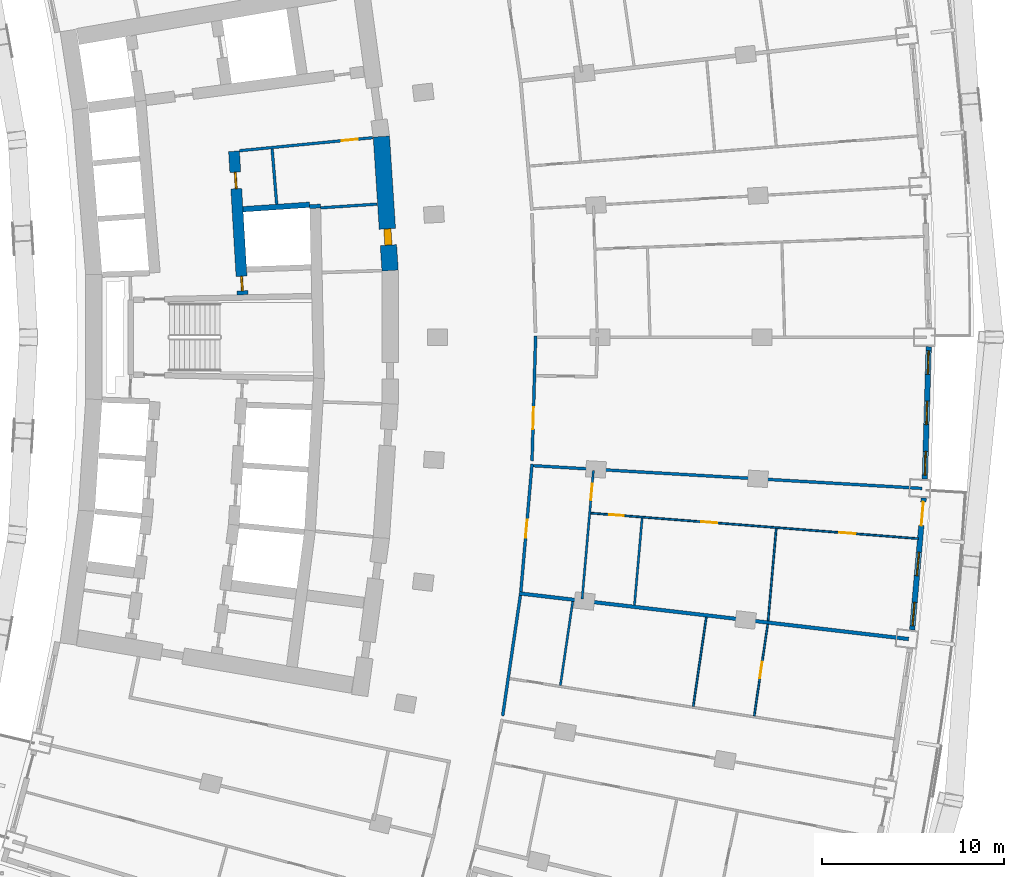
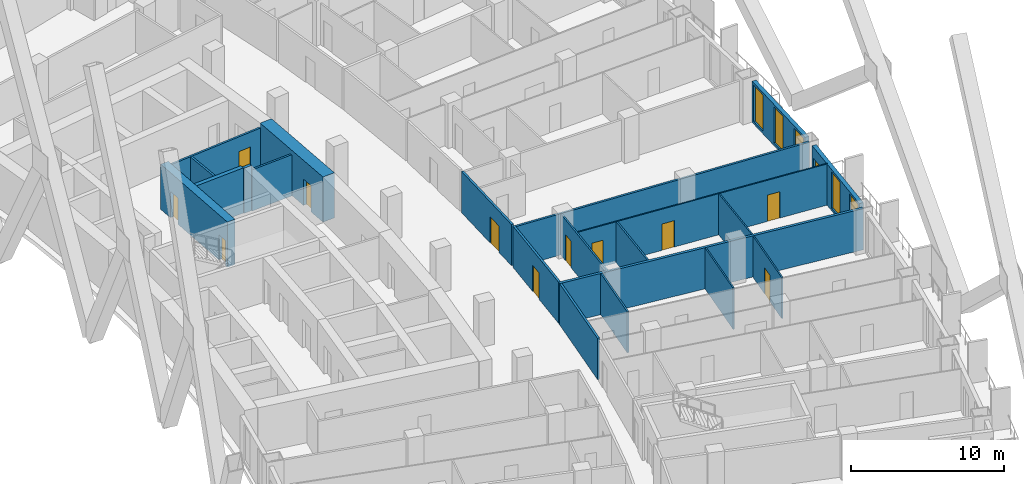
# One storey, part 15 of 23: 21 walls, 12 doors, 5 windows, 17 openings.
"""IFC4 building model written with IfcOpenShell, lengths in metres."""

import ifcopenshell
import ifcopenshell.guid

model = None  # the IFC model being written
_history = None  # IfcOwnerHistory: only IFC2X3 demands one
_inside = {}  # id of a spatial element -> (the spatial element, [elements in it])
_under = {}  # id of a project, library or spatial element -> (it, [spatial elements below it])
_declared = {}  # id of a project -> (the project, [libraries it declares])
_typed = {}  # id of a type object -> (the type object, [elements of that type])
_made_of = {}  # id of a material, layer set ... -> (it, [elements and type objects made of it])


def new_model(schema):
    """Start an empty IFC model of exactly this schema.

    Asked for "IFC4X3", IfcOpenShell would pick the latest addendum, in which some entities
    have other attributes; the version numbers below select the first issue.
    IFC2X3 requires an IfcOwnerHistory on every rooted entity: one is made here for all.
    """
    global model, _history
    if schema == "IFC4X3":
        model = ifcopenshell.file(schema_version=(4, 3, 0, 0))
    else:
        model = ifcopenshell.file(schema=schema)
    _inside.clear()
    _under.clear()
    _declared.clear()
    _typed.clear()
    _made_of.clear()
    _history = None
    if model.schema == "IFC2X3":
        org = make("IfcOrganization", Name="unknown")
        user = make(
            "IfcPersonAndOrganization",
            ThePerson=make("IfcPerson", FamilyName="unknown"),
            TheOrganization=org,
        )
        app = make(
            "IfcApplication",
            ApplicationDeveloper=org,
            Version="unknown",
            ApplicationFullName="unknown",
            ApplicationIdentifier="unknown",
        )
        _history = make(
            "IfcOwnerHistory",
            OwningUser=user,
            OwningApplication=app,
            ChangeAction="ADDED",
            CreationDate=0,
        )
    return model


def make(cls, **values):
    """One entity of the class cls with the attributes given. An attribute that is None is left unset."""
    return model.create_entity(
        cls, **{name: value for name, value in values.items() if value is not None}
    )


def rooted(cls, **values):
    """An entity with a GlobalId (a new one), such as an element, a storey or a relation."""
    return make(cls, GlobalId=ifcopenshell.guid.new(), OwnerHistory=_history, **values)


def si_unit(unit_type, name, prefix=None):
    """IfcSIUnit, for example si_unit("LENGTHUNIT", "METRE", prefix="MILLI")."""
    return make("IfcSIUnit", UnitType=unit_type, Prefix=prefix, Name=name)


def assignment(units):
    """IfcUnitAssignment: the units of a project."""
    return None if units is None else make("IfcUnitAssignment", Units=units)


def point(xyz):
    """IfcCartesianPoint."""
    return None if xyz is None else make("IfcCartesianPoint", Coordinates=xyz)


def direction(xyz):
    """IfcDirection."""
    return None if xyz is None else make("IfcDirection", DirectionRatios=xyz)


def frame(location, z_axis=None, x_axis=None):
    """IfcAxis2Placement3D, a coordinate frame: its origin and axes. An axis left out is left unset."""
    return make(
        "IfcAxis2Placement3D",
        Location=point(location),
        Axis=direction(z_axis),
        RefDirection=direction(x_axis),
    )


def frame_2d(location, x_axis=None):
    """IfcAxis2Placement2D, a coordinate frame in the plane: its origin and x axis."""
    return make(
        "IfcAxis2Placement2D", Location=point(location), RefDirection=direction(x_axis)
    )


def origin():
    """The frame at (0, 0, 0) with its axes left unset."""
    return frame((0.0, 0.0, 0.0))


def place(relative_to, where):
    """IfcLocalPlacement: puts the frame where relative to a parent placement (None: the world)."""
    return make(
        "IfcLocalPlacement", PlacementRelTo=relative_to, RelativePlacement=where
    )


def context(
    kind, dimensions, precision=None, world=None, true_north=None, identifier=None
):
    """IfcGeometricRepresentationContext, for example the 3D "Model" context."""
    return make(
        "IfcGeometricRepresentationContext",
        ContextIdentifier=identifier,
        ContextType=kind,
        CoordinateSpaceDimension=dimensions,
        Precision=precision,
        WorldCoordinateSystem=world,
        TrueNorth=true_north,
    )


def subcontext(parent, identifier, kind, view, scale=None):
    """IfcGeometricRepresentationSubContext, for example "Body" below "Model"."""
    return make(
        "IfcGeometricRepresentationSubContext",
        ContextIdentifier=identifier,
        ContextType=kind,
        ParentContext=parent,
        TargetScale=scale,
        TargetView=view,
    )


def project(units=None, contexts=None):
    """IfcProject with its units and contexts."""
    return rooted(
        "IfcProject",
        Name="project",
        RepresentationContexts=contexts,
        UnitsInContext=assignment(units),
    )


def spatial(cls, under=None, at=None, **own):
    """A site, building, storey or space (cls), placed at a placement, below another one or the project."""
    s = rooted(cls, ObjectPlacement=at, **own)
    if under is not None:
        _under.setdefault(under.id(), (under, []))[1].append(s)
    return s


def profile(cls, at=None, kind="AREA", **sizes):
    """A parametric profile (cls). Its sizes go by their IFC names, for example OverallWidth=200.0."""
    return make(cls, ProfileType=kind, Position=at, **sizes)


def rectangle(**sizes):
    """IfcRectangleProfileDef."""
    return profile("IfcRectangleProfileDef", **sizes)


def extrude(swept, where, along, depth):
    """IfcExtrudedAreaSolid: the profile swept, set in the frame where, extruded along a direction by depth."""
    return make(
        "IfcExtrudedAreaSolid",
        SweptArea=swept,
        Position=where,
        ExtrudedDirection=direction(along),
        Depth=depth,
    )


def shape(context_of_items, identifier, shape_type, items):
    """IfcShapeRepresentation: the items that make up one representation, for example the "Body"."""
    return make(
        "IfcShapeRepresentation",
        ContextOfItems=context_of_items,
        RepresentationIdentifier=identifier,
        RepresentationType=shape_type,
        Items=items,
    )


def material(Name=None, Category=None):
    """IfcMaterial."""
    return make("IfcMaterial", Name=Name, Category=Category)


def layer(
    of_material, thickness, ventilated=None, Name=None, Category=None, Priority=None
):
    """IfcMaterialLayer: one layer of a wall or slab, of a material (None: an air gap)."""
    return make(
        "IfcMaterialLayer",
        Material=of_material,
        LayerThickness=thickness,
        IsVentilated=ventilated,
        Name=Name,
        Category=Category,
        Priority=Priority,
    )


def layer_set(layers, Name=None):
    """IfcMaterialLayerSet."""
    return make("IfcMaterialLayerSet", MaterialLayers=layers, LayerSetName=Name)


def made_of(thing, what):
    """Note that an element or type object is made of a material, layer set ...; save() writes the relation."""
    if what is not None:
        _made_of.setdefault(what.id(), (what, []))[1].append(thing)
    return thing


def type_object(cls, material=None, **own):
    """A type object (cls), such as IfcWallType, which elements share."""
    return made_of(rooted(cls, **own), material)


def element(
    cls,
    number,
    at=None,
    inside=None,
    cuts=None,
    type_object=None,
    material=None,
    context=None,
    identifier="Body",
    shape_type=None,
    held_by="IfcProductDefinitionShape",
    body=None,
    shapes=None,
    **own,
):
    """One element of the class cls, such as IfcWall. Its Tag is "e" and its number.

    at: its placement. inside: the storey or other place that contains it. cuts: it is an
    opening in that element (IfcRelVoidsElement). A single representation is given by context,
    identifier, shape_type and body (its items); several are given by shapes. held_by: the class
    of the entity that holds the representations. save() writes the other relations.
    """
    e = rooted(cls, Tag="e%d" % number, ObjectPlacement=at, **own)
    if body is not None:
        shapes = [shape(context, identifier, shape_type, body)]
    if shapes is not None:
        e.Representation = make(held_by, Representations=shapes)
    if inside is not None:
        _inside.setdefault(inside.id(), (inside, []))[1].append(e)
    if cuts is not None:
        rooted(
            "IfcRelVoidsElement", RelatingBuildingElement=cuts, RelatedOpeningElement=e
        )
    if type_object is not None:
        _typed.setdefault(type_object.id(), (type_object, []))[1].append(e)
    return made_of(e, material)


def fill(opening, filler):
    """IfcRelFillsElement: the door or window that sits in an opening."""
    return rooted(
        "IfcRelFillsElement",
        RelatingOpeningElement=opening,
        RelatedBuildingElement=filler,
    )


def aggregate(whole, parts):
    """IfcRelAggregates: a whole, such as a stair, and the parts it consists of."""
    return rooted("IfcRelAggregates", RelatingObject=whole, RelatedObjects=parts)


def save(model, path):
    """Write the relations noted so far, then the file.

    IfcRelAggregates (storeys below a building ...), IfcRelContainedInSpatialStructure (elements
    in a storey), IfcRelDefinesByType, IfcRelAssociatesMaterial and IfcRelDeclares: one each for
    every whole, place, type object, material and project.
    """
    for whole, parts in _under.values():
        aggregate(whole, parts)
    for where, things in _inside.values():
        rooted(
            "IfcRelContainedInSpatialStructure",
            RelatedElements=things,
            RelatingStructure=where,
        )
    for kind, things in _typed.values():
        rooted("IfcRelDefinesByType", RelatedObjects=things, RelatingType=kind)
    for what, things in _made_of.values():
        rooted("IfcRelAssociatesMaterial", RelatedObjects=things, RelatingMaterial=what)
    for by, libraries in _declared.values():
        rooted("IfcRelDeclares", RelatingContext=by, RelatedDefinitions=libraries)
    model.write(path)


model = new_model("IFC4")

# Units and contexts
model_context = context("Model", 3, precision=1e-05, world=origin(), true_north=direction((0.0, 1.0)))
body_context = subcontext(model_context, "Body", "Model", "MODEL_VIEW")
ifc_project = project(units=[si_unit("LENGTHUNIT", "METRE"), si_unit("AREAUNIT", "SQUARE_METRE"), si_unit("VOLUMEUNIT", "CUBIC_METRE"), si_unit("PLANEANGLEUNIT", "RADIAN"), si_unit("MASSUNIT", "GRAM", prefix="KILO")], contexts=[model_context])

# Site, building, storey
site_placement = place(None, origin())
site = spatial("IfcSite", under=ifc_project, at=site_placement, CompositionType="ELEMENT")
building_placement = place(site_placement, origin())
building = spatial("IfcBuilding", under=site, at=building_placement, Name="Alderwake Tower", CompositionType="ELEMENT")
storey_placement = place(building_placement, frame((0.0, 0.0, 53.60009765625)))
storey = spatial("IfcBuildingStorey", under=building, at=storey_placement, Name="L12", CompositionType="ELEMENT", Elevation=53.60009765625)

# Walls
ifc_material_1 = material(Name="Gypsum shaft wall system, rated")
ifc_layer_1 = layer(ifc_material_1, 0.14990234375)
ifc_layer_set_1 = layer_set([ifc_layer_1], Name="Core room partition 150")
wall_type_1 = type_object("IfcWallType", Name="Core room partition 150", PredefinedType="PARTITIONING", material=ifc_layer_set_1)
wall_1_placement = place(storey_placement, frame((26.94970703125, 68.3203125, 0.0), z_axis=(0.0, 0.0, 1.0), x_axis=(-0.082463525817, 0.996594083321, 0.0)))
element("IfcWall", 1, at=wall_1_placement, inside=storey, type_object=wall_type_1, Name="CW/L12/PA+107_+70", PredefinedType="PARTITIONING", context=body_context, shape_type="SweptSolid", body=[
    extrude(rectangle(XDim=3.055419921875, YDim=0.14990234375, at=frame_2d((1.52783203125, 0.0))), origin(), (0.0, 0.0, 1.0), 3.27978515625),
])
wall_2_placement = place(storey_placement, frame((29.36865234375, 68.1220703125, 0.0), z_axis=(0.0, 0.0, 1.0), x_axis=(0.997885090452, 0.065002663433, 0.0)))
element("IfcWall", 2, at=wall_2_placement, inside=storey, type_object=wall_type_1, Name="CW/L12/PR+68_+128", PredefinedType="PARTITIONING", context=body_context, shape_type="SweptSolid", body=[
    extrude(rectangle(XDim=3.10986328125, YDim=0.14990234375, at=frame_2d((1.554931640625, 0.0))), origin(), (0.0, 0.0, 1.0), 3.27978515625),
])

# Wall, opening, door
wall_3_placement = place(storey_placement, frame((32.233642578125, 71.982177734375, 0.0), z_axis=(0.0, 0.0, 1.0), x_axis=(-0.995245540971, -0.097397706226, 0.0)))
wall_3 = element("IfcWall", 3, at=wall_3_placement, inside=storey, type_object=wall_type_1, Name="CW/L12/PR+102_+86", PredefinedType="PARTITIONING", context=body_context, shape_type="SweptSolid", body=[
    extrude(rectangle(XDim=7.36962890625, YDim=0.14990234375, at=frame_2d((3.684814453125, 0.0))), origin(), (0.0, 0.0, 1.0), 3.27978515625),
])
opening_1_placement = place(wall_3_placement, frame((0.819580078125, 0.0, 0.0)))
opening_1 = element("IfcOpeningElement", 4, at=opening_1_placement, cuts=wall_3, Name="Opening C021", PredefinedType="OPENING", context=body_context, shape_type="SweptSolid", body=[
    extrude(rectangle(XDim=0.89990234375, YDim=2.10009765625, at=frame_2d((0.449951171875, 1.050048828125))), frame((0.0, 0.0849609375, 0.0), z_axis=(0.0, -1.0, 0.0), x_axis=(1.0, 0.0, 0.0)), (0.0, 0.0, 1.0), 0.169921875),
])
ifc_material_2 = material(Name="Painted steel leaf", Category="steel")
door_type_1 = type_object("IfcDoorType", Name="Core room door 900", OperationType="SINGLE_SWING_LEFT", PredefinedType="DOOR", material=ifc_material_2)
door_1_placement = place(opening_1_placement, origin())
door_1 = element("IfcDoor", 5, at=door_1_placement, inside=storey, type_object=door_type_1, Name="Room door", OperationType="SINGLE_SWING_RIGHT", OverallHeight=2.10009765625, OverallWidth=0.89990234375, PredefinedType="DOOR", context=body_context, shape_type="SweptSolid", body=[
    extrude(rectangle(XDim=0.89990234375, YDim=2.10009765625, at=frame_2d((0.449951171875, 1.050048828125))), frame((0.0, 0.02490234375, 0.0), z_axis=(0.0, -1.0, 0.0), x_axis=(1.0, 0.0, 0.0)), (0.0, 0.0, 1.0), 0.050048828125),
])
fill(opening_1, door_1)

ifc_material_3 = material(Name="Concrete C70/85", Category="concrete")
ifc_layer_2 = layer(ifc_material_3, 0.89990234375)
ifc_layer_set_2 = layer_set([ifc_layer_2], Name="Core wall outer 900 C70-85")
wall_type_2 = type_object("IfcWallType", Name="Core wall outer 900 C70-85", PredefinedType="SHEAR", material=ifc_layer_set_2)
wall_4_placement = place(storey_placement, frame((32.710693359375, 72.04541015625, 0.0), z_axis=(0.0, 0.0, 1.0), x_axis=(0.064976219143, -0.997886812693, 0.0)))
wall_4 = element("IfcWall", 6, at=wall_4_placement, inside=storey, type_object=wall_type_2, Name="Core wall CW.010", PredefinedType="SHEAR", context=body_context, shape_type="SweptSolid", body=[
    extrude(rectangle(XDim=7.39453125, YDim=0.89990234375, at=frame_2d((3.697265625, 0.0))), origin(), (0.0, 0.0, 1.0), 3.599853515625),
])
opening_2_placement = place(wall_4_placement, frame((5.089111328125, 0.0, 0.0)))
opening_2 = element("IfcOpeningElement", 7, at=opening_2_placement, cuts=wall_4, Name="Opening C035", PredefinedType="OPENING", context=body_context, shape_type="SweptSolid", body=[
    extrude(rectangle(XDim=0.89990234375, YDim=2.10009765625, at=frame_2d((0.449951171875, 1.050048828125))), frame((0.0, 0.4599609375, 0.0), z_axis=(0.0, -1.0, 0.0), x_axis=(1.0, 0.0, 0.0)), (0.0, 0.0, 1.0), 0.919921875),
])
door_2_placement = place(opening_2_placement, origin())
door_2 = element("IfcDoor", 8, at=door_2_placement, inside=storey, type_object=door_type_1, Name="Room door", OperationType="SINGLE_SWING_RIGHT", OverallHeight=2.10009765625, OverallWidth=0.89990234375, PredefinedType="DOOR", context=body_context, shape_type="SweptSolid", body=[
    extrude(rectangle(XDim=0.89990234375, YDim=2.10009765625, at=frame_2d((0.449951171875, 1.050048828125))), frame((0.0, 0.199951171875, 0.0), z_axis=(0.0, -1.0, 0.0), x_axis=(1.0, 0.0, 0.0)), (0.0, 0.0, 1.0), 0.39990234375),
])
fill(opening_2, door_2)

# Wall
ifc_material_4 = material(Name="Concrete C70/85", Category="concrete")
ifc_layer_3 = layer(ifc_material_4, 0.300048828125)
ifc_layer_set_3 = layer_set([ifc_layer_3], Name="Core wall shaft 300 C70-85")
wall_type_3 = type_object("IfcWallType", Name="Core wall shaft 300 C70-85", PredefinedType="SHEAR", material=ifc_layer_set_3)
wall_5_placement = place(storey_placement, frame((25.09228515625, 68.04541015625, 0.0), z_axis=(0.0, 0.0, 1.0), x_axis=(0.997760375614, 0.066889706642, 0.0)))
element("IfcWall", 9, at=wall_5_placement, inside=storey, type_object=wall_type_3, Name="Core wall CW.063", PredefinedType="SHEAR", context=body_context, shape_type="SweptSolid", body=[
    extrude(rectangle(XDim=3.671875, YDim=0.300048828125, at=frame_2d((1.8359375, 0.0))), origin(), (0.0, 0.0, 1.0), 3.599853515625),
])

# Wall, openings, doors
ifc_material_5 = material(Name="Concrete C70/85", Category="concrete")
ifc_layer_4 = layer(ifc_material_5, 0.60009765625)
ifc_layer_set_4 = layer_set([ifc_layer_4], Name="Core wall spine 600 C70-85")
wall_type_4 = type_object("IfcWallType", Name="Core wall spine 600 C70-85", PredefinedType="SHEAR", material=ifc_layer_set_4)
wall_6_placement = place(storey_placement, frame((25.073974609375, 63.335693359375, 0.0), z_axis=(0.0, 0.0, 1.0), x_axis=(-0.059848641072, 0.998207463487, 0.0)))
wall_6 = element("IfcWall", 10, at=wall_6_placement, inside=storey, type_object=wall_type_4, Name="Core wall CW.045", PredefinedType="SHEAR", context=body_context, shape_type="SweptSolid", body=[
    extrude(rectangle(XDim=7.913818359375, YDim=0.60009765625, at=frame_2d((3.95703125, 0.0))), origin(), (0.0, 0.0, 1.0), 3.599853515625),
])
opening_3_placement = place(wall_6_placement, frame((0.216064453125, 0.0, 0.0)))
opening_3 = element("IfcOpeningElement", 11, at=opening_3_placement, cuts=wall_6, Name="Opening C005", PredefinedType="OPENING", context=body_context, shape_type="SweptSolid", body=[
    extrude(rectangle(XDim=0.800048828125, YDim=2.0, at=frame_2d((0.39990234375, 1.0))), frame((0.0, 0.31005859375, 0.0), z_axis=(0.0, -1.0, 0.0), x_axis=(1.0, 0.0, 0.0)), (0.0, 0.0, 1.0), 0.6201171875),
])
opening_4_placement = place(wall_6_placement, frame((5.856201171875, 0.0, 0.0)))
opening_4 = element("IfcOpeningElement", 12, at=opening_4_placement, cuts=wall_6, Name="Opening C024", PredefinedType="OPENING", context=body_context, shape_type="SweptSolid", body=[
    extrude(rectangle(XDim=0.89990234375, YDim=2.10009765625, at=frame_2d((0.449951171875, 1.050048828125))), frame((0.0, 0.31005859375, 0.0), z_axis=(0.0, -1.0, 0.0), x_axis=(1.0, 0.0, 0.0)), (0.0, 0.0, 1.0), 0.6201171875),
])
door_3_placement = place(opening_4_placement, origin())
door_3 = element("IfcDoor", 13, at=door_3_placement, inside=storey, type_object=door_type_1, Name="Room door", OperationType="SINGLE_SWING_LEFT", OverallHeight=2.10009765625, OverallWidth=0.89990234375, PredefinedType="DOOR", context=body_context, shape_type="SweptSolid", body=[
    extrude(rectangle(XDim=0.89990234375, YDim=2.10009765625, at=frame_2d((0.449951171875, 1.050048828125))), frame((0.0, 0.050048828125, 0.0), z_axis=(0.0, -1.0, 0.0), x_axis=(1.0, 0.0, 0.0)), (0.0, 0.0, 1.0), 0.10009765625),
])
fill(opening_4, door_3)
ifc_material_6 = material(Name="Painted steel leaf, rated", Category="steel")
door_type_2 = type_object("IfcDoorType", Name="Riser access door 800", OperationType="SINGLE_SWING_LEFT", PredefinedType="DOOR", material=ifc_material_6)
door_4_placement = place(opening_3_placement, origin())
door_4 = element("IfcDoor", 14, at=door_4_placement, inside=storey, type_object=door_type_2, Name="Riser access door", OperationType="SINGLE_SWING_LEFT", OverallHeight=2.0, OverallWidth=0.800048828125, PredefinedType="DOOR", context=body_context, shape_type="SweptSolid", body=[
    extrude(rectangle(XDim=0.800048828125, YDim=2.0, at=frame_2d((0.39990234375, 1.0))), frame((0.0, 0.050048828125, 0.0), z_axis=(0.0, -1.0, 0.0), x_axis=(1.0, 0.0, 0.0)), (0.0, 0.0, 1.0), 0.10009765625),
])
fill(opening_3, door_4)

# Walls
wall_7_placement = place(storey_placement, frame((29.069580078125, 68.095458984375, 0.0), z_axis=(0.0, 0.0, 1.0), x_axis=(-0.066669007539, 0.997775146731, 0.0)))
element("IfcWall", 15, at=wall_7_placement, inside=storey, type_object=wall_type_4, Name="Core wall CW.003", PredefinedType="SHEAR", context=body_context, shape_type="SweptSolid", body=[
    extrude(rectangle(XDim=0.216064453125, YDim=0.60009765625, at=frame_2d((0.10791015625, 0.0))), origin(), (0.0, 0.0, 1.0), 3.599853515625),
])
ifc_material_7 = material(Name="Gypsum board on metal studs, rated")
ifc_layer_5 = layer(ifc_material_7, 0.159912109375)
ifc_layer_set_5 = layer_set([ifc_layer_5], Name="Corridor wall 160")
wall_type_5 = type_object("IfcWallType", Name="Corridor wall 160", PredefinedType="PARTITIONING", material=ifc_layer_set_5)
wall_8_placement = place(storey_placement, frame((39.38671875, 40.160888671875, 0.0), z_axis=(0.0, 0.0, 1.0), x_axis=(0.145513909196, 0.989356205939, 0.0)))
element("IfcWall", 16, at=wall_8_placement, inside=storey, type_object=wall_type_5, Name="WL/L12/W32", PredefinedType="PARTITIONING", context=body_context, shape_type="SweptSolid", body=[
    extrude(rectangle(XDim=6.704345703125, YDim=0.159912109375, at=frame_2d((3.35205078125, 0.0))), origin(), (0.0, 0.0, 1.0), 3.27978515625),
])

# Wall, opening, door
wall_9_placement = place(storey_placement, frame((41.001953125, 54.013671875, 0.0), z_axis=(0.0, 0.0, 1.0), x_axis=(-0.087430787456, -0.996170596537, 0.0)))
wall_9 = element("IfcWall", 17, at=wall_9_placement, inside=storey, type_object=wall_type_5, Name="WL/L12/W34", PredefinedType="PARTITIONING", context=body_context, shape_type="SweptSolid", body=[
    extrude(rectangle(XDim=7.048095703125, YDim=0.159912109375, at=frame_2d((3.52392578125, 0.0))), origin(), (0.0, 0.0, 1.0), 3.27978515625),
])
opening_5_placement = place(wall_9_placement, frame((3.064208984375, 0.0, 0.0)))
opening_5 = element("IfcOpeningElement", 18, at=opening_5_placement, cuts=wall_9, Name="Opening R03-U06.2", PredefinedType="OPENING", context=body_context, shape_type="SweptSolid", body=[
    extrude(rectangle(XDim=1.0, YDim=2.10009765625, at=frame_2d((0.5, 1.050048828125))), frame((0.0, 0.08984375, 0.0), z_axis=(0.0, -1.0, 0.0), x_axis=(1.0, 0.0, 0.0)), (0.0, 0.0, 1.0), 0.179931640625),
])
ifc_material_8 = material(Name="Solid timber leaf in steel frame", Category="steel")
door_type_3 = type_object("IfcDoorType", Name="Flat entrance door 1000 fire-rated", OperationType="SINGLE_SWING_LEFT", PredefinedType="DOOR", material=ifc_material_8)
door_5_placement = place(opening_5_placement, origin())
door_5 = element("IfcDoor", 19, at=door_5_placement, inside=storey, type_object=door_type_3, Name="DR/L12/U06.2", OperationType="SINGLE_SWING_LEFT", OverallHeight=2.10009765625, OverallWidth=1.0, PredefinedType="DOOR", context=body_context, shape_type="SweptSolid", body=[
    extrude(rectangle(XDim=1.0, YDim=2.10009765625, at=frame_2d((0.5, 1.050048828125))), frame((0.0, 0.02490234375, 0.0), z_axis=(0.0, -1.0, 0.0), x_axis=(1.0, 0.0, 0.0)), (0.0, 0.0, 1.0), 0.050048828125),
])
fill(opening_5, door_5)

wall_10_placement = place(storey_placement, frame((41.201416015625, 61.0791015625, 0.0), z_axis=(0.0, 0.0, 1.0), x_axis=(-0.028879835058, -0.999582890573, 0.0)))
wall_10 = element("IfcWall", 20, at=wall_10_placement, inside=storey, type_object=wall_type_5, Name="WL/L12/W36", PredefinedType="PARTITIONING", context=body_context, shape_type="SweptSolid", body=[
    extrude(rectangle(XDim=6.88134765625, YDim=0.159912109375, at=frame_2d((3.440673828125, 0.0))), origin(), (0.0, 0.0, 1.0), 3.27978515625),
])
opening_6_placement = place(wall_10_placement, frame((3.9404296875, 0.0, 0.0)))
opening_6 = element("IfcOpeningElement", 21, at=opening_6_placement, cuts=wall_10, Name="Opening R03-AM1.1", PredefinedType="OPENING", context=body_context, shape_type="SweptSolid", body=[
    extrude(rectangle(XDim=1.199951171875, YDim=2.10009765625, at=frame_2d((0.60009765625, 1.050048828125))), frame((0.0, 0.08984375, 0.0), z_axis=(0.0, -1.0, 0.0), x_axis=(1.0, 0.0, 0.0)), (0.0, 0.0, 1.0), 0.179931640625),
])
ifc_material_9 = material(Name="Steel-framed fire door leaf", Category="steel")
door_type_4 = type_object("IfcDoorType", Name="Lobby door 1200 fire-rated", OperationType="SINGLE_SWING_LEFT", PredefinedType="DOOR", material=ifc_material_9)
door_6_placement = place(opening_6_placement, origin())
door_6 = element("IfcDoor", 22, at=door_6_placement, inside=storey, type_object=door_type_4, Name="DR/L12/AM1.1", OperationType="SINGLE_SWING_LEFT", OverallHeight=2.10009765625, OverallWidth=1.199951171875, PredefinedType="DOOR", context=body_context, shape_type="SweptSolid", body=[
    extrude(rectangle(XDim=1.199951171875, YDim=2.10009765625, at=frame_2d((0.60009765625, 1.050048828125))), frame((0.0, 0.02490234375, 0.0), z_axis=(0.0, -1.0, 0.0), x_axis=(1.0, 0.0, 0.0)), (0.0, 0.0, 1.0), 0.050048828125),
])
fill(opening_6, door_6)

# Wall
wall_11_placement = place(storey_placement, frame((62.45703125, 52.679931640625, 0.0), z_axis=(0.0, 0.0, 1.0), x_axis=(-0.998297563593, 0.058326447893, 0.0)))
element("IfcWall", 23, at=wall_11_placement, inside=storey, type_object=wall_type_5, Name="WL/L12/W39", PredefinedType="PARTITIONING", context=body_context, shape_type="SweptSolid", body=[
    extrude(rectangle(XDim=21.41845703125, YDim=0.159912109375, at=frame_2d((10.709228515625, 0.0))), origin(), (0.0, 0.0, 1.0), 3.27978515625),
])

# Wall, openings, door, windows
ifc_material_10 = material(Name="Precast concrete C50/60 spandrel panel", Category="concrete")
ifc_layer_6 = layer(ifc_material_10, 0.300048828125)
ifc_layer_set_6 = layer_set([ifc_layer_6], Name="External wall EW1 Precast concrete C50/60 spandrel")
wall_type_6 = type_object("IfcWallType", Name="External wall EW1 Precast concrete C50/60 spandrel", PredefinedType="SOLIDWALL", material=ifc_layer_set_6)
wall_12_placement = place(storey_placement, frame((61.9248046875, 44.89453125, 0.0), z_axis=(0.0, 0.0, 1.0), x_axis=(0.087361569519, 0.996176669156, 0.0)))
wall_12 = element("IfcWall", 24, at=wall_12_placement, inside=storey, type_object=wall_type_6, Name="External wall 15", PredefinedType="SOLIDWALL", context=body_context, shape_type="SweptSolid", body=[
    extrude(rectangle(XDim=7.28271484375, YDim=0.300048828125, at=frame_2d((3.641357421875, 0.0))), origin(), (0.0, 0.0, 1.0), 3.27978515625),
])
opening_7_placement = place(wall_12_placement, frame((0.218994140625, 0.0, 0.199951171875)))
opening_7 = element("IfcOpeningElement", 25, at=opening_7_placement, cuts=wall_12, Name="Opening W1", PredefinedType="OPENING", context=body_context, shape_type="SweptSolid", body=[
    extrude(rectangle(XDim=1.300048828125, YDim=2.89990234375, at=frame_2d((0.64990234375, 1.449951171875))), frame((0.0, 0.159912109375, 0.0), z_axis=(0.0, -1.0, 0.0), x_axis=(1.0, 0.0, 0.0)), (0.0, 0.0, 1.0), 0.320068359375),
])
opening_8_placement = place(wall_12_placement, frame((2.9912109375, 0.0, 0.199951171875)))
opening_8 = element("IfcOpeningElement", 26, at=opening_8_placement, cuts=wall_12, Name="Opening W1", PredefinedType="OPENING", context=body_context, shape_type="SweptSolid", body=[
    extrude(rectangle(XDim=1.300048828125, YDim=2.89990234375, at=frame_2d((0.64990234375, 1.449951171875))), frame((0.0, 0.159912109375, 0.0), z_axis=(0.0, -1.0, 0.0), x_axis=(1.0, 0.0, 0.0)), (0.0, 0.0, 1.0), 0.320068359375),
])
opening_9_placement = place(wall_12_placement, frame((5.763671875, 0.0, 0.0)))
opening_9 = element("IfcOpeningElement", 27, at=opening_9_placement, cuts=wall_12, Name="Opening D06", PredefinedType="OPENING", context=body_context, shape_type="SweptSolid", body=[
    extrude(rectangle(XDim=1.300048828125, YDim=2.39990234375, at=frame_2d((0.64990234375, 1.199951171875))), frame((0.0, 0.159912109375, 0.0), z_axis=(0.0, -1.0, 0.0), x_axis=(1.0, 0.0, 0.0)), (0.0, 0.0, 1.0), 0.320068359375),
])
ifc_material_11 = material(Name="Bronze tinted glass in aluminium frame", Category="aluminium")
door_type_5 = type_object("IfcDoorType", Name="Balcony door BD sliding", OperationType="SLIDING_TO_LEFT", PredefinedType="DOOR", material=ifc_material_11)
door_7_placement = place(opening_9_placement, origin())
door_7 = element("IfcDoor", 28, at=door_7_placement, inside=storey, type_object=door_type_5, Name="Door D06", OperationType="SLIDING_TO_LEFT", OverallHeight=2.39990234375, OverallWidth=1.300048828125, PredefinedType="DOOR", context=body_context, shape_type="SweptSolid", body=[
    extrude(rectangle(XDim=1.300048828125, YDim=2.39990234375, at=frame_2d((0.64990234375, 1.199951171875))), frame((0.0, 0.02490234375, 0.0), z_axis=(0.0, -1.0, 0.0), x_axis=(1.0, 0.0, 0.0)), (0.0, 0.0, 1.0), 0.050048828125),
])
fill(opening_9, door_7)
ifc_material_12 = material(Name="Bronze tinted glass in aluminium frame", Category="aluminium")
window_type = type_object("IfcWindowType", Name="Window W1 tall fixed and vent", PartitioningType="DOUBLE_PANEL_VERTICAL", PredefinedType="WINDOW", material=ifc_material_12)
window_1_placement = place(opening_7_placement, origin())
window_1 = element("IfcWindow", 29, at=window_1_placement, inside=storey, type_object=window_type, Name="Window W1 tall fixed and vent", OverallHeight=2.89990234375, OverallWidth=1.300048828125, PartitioningType="DOUBLE_PANEL_VERTICAL", PredefinedType="WINDOW", context=body_context, shape_type="SweptSolid", body=[
    extrude(rectangle(XDim=1.300048828125, YDim=2.89990234375, at=frame_2d((0.64990234375, 1.449951171875))), frame((0.0, 0.030029296875, 0.0), z_axis=(0.0, -1.0, 0.0), x_axis=(1.0, 0.0, 0.0)), (0.0, 0.0, 1.0), 0.06005859375),
])
fill(opening_7, window_1)
window_2_placement = place(opening_8_placement, origin())
window_2 = element("IfcWindow", 30, at=window_2_placement, inside=storey, type_object=window_type, Name="Window W1 tall fixed and vent", OverallHeight=2.89990234375, OverallWidth=1.300048828125, PartitioningType="DOUBLE_PANEL_VERTICAL", PredefinedType="WINDOW", context=body_context, shape_type="SweptSolid", body=[
    extrude(rectangle(XDim=1.300048828125, YDim=2.89990234375, at=frame_2d((0.64990234375, 1.449951171875))), frame((0.0, 0.030029296875, 0.0), z_axis=(0.0, -1.0, 0.0), x_axis=(1.0, 0.0, 0.0)), (0.0, 0.0, 1.0), 0.06005859375),
])
fill(opening_8, window_2)

# Wall, openings, windows
wall_13_placement = place(storey_placement, frame((62.622314453125, 53.1962890625, 0.0), z_axis=(0.0, 0.0, 1.0), x_axis=(0.029166550581, 0.999574565666, 0.0)))
wall_13 = element("IfcWall", 31, at=wall_13_placement, inside=storey, type_object=wall_type_6, Name="External wall 16", PredefinedType="SOLIDWALL", context=body_context, shape_type="SweptSolid", body=[
    extrude(rectangle(XDim=7.282470703125, YDim=0.300048828125, at=frame_2d((3.64111328125, 0.0))), origin(), (0.0, 0.0, 1.0), 3.27978515625),
])
opening_10_placement = place(wall_13_placement, frame((0.218994140625, 0.0, 0.199951171875)))
opening_10 = element("IfcOpeningElement", 32, at=opening_10_placement, cuts=wall_13, Name="Opening W1", PredefinedType="OPENING", context=body_context, shape_type="SweptSolid", body=[
    extrude(rectangle(XDim=1.300048828125, YDim=2.89990234375, at=frame_2d((0.64990234375, 1.449951171875))), frame((0.0, 0.159912109375, 0.0), z_axis=(0.0, -1.0, 0.0), x_axis=(1.0, 0.0, 0.0)), (0.0, 0.0, 1.0), 0.320068359375),
])
opening_11_placement = place(wall_13_placement, frame((2.9912109375, 0.0, 0.199951171875)))
opening_11 = element("IfcOpeningElement", 33, at=opening_11_placement, cuts=wall_13, Name="Opening W1", PredefinedType="OPENING", context=body_context, shape_type="SweptSolid", body=[
    extrude(rectangle(XDim=1.300048828125, YDim=2.89990234375, at=frame_2d((0.64990234375, 1.449951171875))), frame((0.0, 0.159912109375, 0.0), z_axis=(0.0, -1.0, 0.0), x_axis=(1.0, 0.0, 0.0)), (0.0, 0.0, 1.0), 0.320068359375),
])
opening_12_placement = place(wall_13_placement, frame((5.763671875, 0.0, 0.199951171875)))
opening_12 = element("IfcOpeningElement", 34, at=opening_12_placement, cuts=wall_13, Name="Opening W1", PredefinedType="OPENING", context=body_context, shape_type="SweptSolid", body=[
    extrude(rectangle(XDim=1.300048828125, YDim=2.89990234375, at=frame_2d((0.64990234375, 1.449951171875))), frame((0.0, 0.159912109375, 0.0), z_axis=(0.0, -1.0, 0.0), x_axis=(1.0, 0.0, 0.0)), (0.0, 0.0, 1.0), 0.320068359375),
])
window_3_placement = place(opening_10_placement, origin())
window_3 = element("IfcWindow", 35, at=window_3_placement, inside=storey, type_object=window_type, Name="Window W1 tall fixed and vent", OverallHeight=2.89990234375, OverallWidth=1.300048828125, PartitioningType="DOUBLE_PANEL_VERTICAL", PredefinedType="WINDOW", context=body_context, shape_type="SweptSolid", body=[
    extrude(rectangle(XDim=1.300048828125, YDim=2.89990234375, at=frame_2d((0.64990234375, 1.449951171875))), frame((0.0, 0.030029296875, 0.0), z_axis=(0.0, -1.0, 0.0), x_axis=(1.0, 0.0, 0.0)), (0.0, 0.0, 1.0), 0.06005859375),
])
fill(opening_10, window_3)
window_4_placement = place(opening_11_placement, origin())
window_4 = element("IfcWindow", 36, at=window_4_placement, inside=storey, type_object=window_type, Name="Window W1 tall fixed and vent", OverallHeight=2.89990234375, OverallWidth=1.300048828125, PartitioningType="DOUBLE_PANEL_VERTICAL", PredefinedType="WINDOW", context=body_context, shape_type="SweptSolid", body=[
    extrude(rectangle(XDim=1.300048828125, YDim=2.89990234375, at=frame_2d((0.64990234375, 1.449951171875))), frame((0.0, 0.030029296875, 0.0), z_axis=(0.0, -1.0, 0.0), x_axis=(1.0, 0.0, 0.0)), (0.0, 0.0, 1.0), 0.06005859375),
])
fill(opening_11, window_4)
window_5_placement = place(opening_12_placement, origin())
window_5 = element("IfcWindow", 37, at=window_5_placement, inside=storey, type_object=window_type, Name="Window W1 tall fixed and vent", OverallHeight=2.89990234375, OverallWidth=1.300048828125, PartitioningType="DOUBLE_PANEL_VERTICAL", PredefinedType="WINDOW", context=body_context, shape_type="SweptSolid", body=[
    extrude(rectangle(XDim=1.300048828125, YDim=2.89990234375, at=frame_2d((0.64990234375, 1.449951171875))), frame((0.0, 0.030029296875, 0.0), z_axis=(0.0, -1.0, 0.0), x_axis=(1.0, 0.0, 0.0)), (0.0, 0.0, 1.0), 0.06005859375),
])
fill(opening_12, window_5)

# Wall
ifc_material_13 = material(Name="Dense block masonry wall", Category="masonry")
ifc_layer_7 = layer(ifc_material_13, 0.199951171875)
ifc_layer_set_7 = layer_set([ifc_layer_7], Name="Party wall 200")
wall_type_7 = type_object("IfcWallType", Name="Party wall 200", PredefinedType="SOLIDWALL", material=ifc_layer_set_7)
wall_14_placement = place(storey_placement, frame((40.297607421875, 46.90234375, 0.0), z_axis=(0.0, 0.0, 1.0), x_axis=(0.99318908438, -0.116513701633, 0.0)))
element("IfcWall", 38, at=wall_14_placement, inside=storey, type_object=wall_type_7, Name="WL/L12/W06", PredefinedType="SOLIDWALL", context=body_context, shape_type="SweptSolid", body=[
    extrude(rectangle(XDim=21.580322265625, YDim=0.199951171875, at=frame_2d((10.7900390625, 0.0))), origin(), (0.0, 0.0, 1.0), 3.27978515625),
])

# Wall, openings, doors
ifc_material_14 = material(Name="Gypsum board on metal studs")
ifc_layer_8 = layer(ifc_material_14, 0.10009765625)
ifc_layer_set_8 = layer_set([ifc_layer_8], Name="Unit partition 100")
wall_type_8 = type_object("IfcWallType", Name="Unit partition 100", PredefinedType="PARTITIONING", material=ifc_layer_set_8)
wall_15_placement = place(storey_placement, frame((62.264892578125, 49.9140625, 0.0), z_axis=(0.0, 0.0, 1.0), x_axis=(-0.996976391014, 0.077705056217, 0.0)))
wall_15 = element("IfcWall", 39, at=wall_15_placement, inside=storey, type_object=wall_type_8, Name="WL/L12/W73", PredefinedType="PARTITIONING", context=body_context, shape_type="SweptSolid", body=[
    extrude(rectangle(XDim=18.084716796875, YDim=0.10009765625, at=frame_2d((9.04248046875, 0.0))), origin(), (0.0, 0.0, 1.0), 3.27978515625),
])
opening_13_placement = place(wall_15_placement, frame((11.09326171875, 0.0, 0.0)))
opening_13 = element("IfcOpeningElement", 40, at=opening_13_placement, cuts=wall_15, Name="Opening R03-U06.1", PredefinedType="OPENING", context=body_context, shape_type="SweptSolid", body=[
    extrude(rectangle(XDim=0.89990234375, YDim=2.10009765625, at=frame_2d((0.449951171875, 1.050048828125))), frame((0.0, 0.06005859375, 0.0), z_axis=(0.0, -1.0, 0.0), x_axis=(1.0, 0.0, 0.0)), (0.0, 0.0, 1.0), 0.1201171875),
])
opening_14_placement = place(wall_15_placement, frame((16.2646484375, 0.0, 0.0)))
opening_14 = element("IfcOpeningElement", 41, at=opening_14_placement, cuts=wall_15, Name="Opening R03-U06.4", PredefinedType="OPENING", context=body_context, shape_type="SweptSolid", body=[
    extrude(rectangle(XDim=0.800048828125, YDim=2.10009765625, at=frame_2d((0.39990234375, 1.050048828125))), frame((0.0, 0.06005859375, 0.0), z_axis=(0.0, -1.0, 0.0), x_axis=(1.0, 0.0, 0.0)), (0.0, 0.0, 1.0), 0.1201171875),
])
opening_15_placement = place(wall_15_placement, frame((3.470947265625, 0.0, 0.0)))
opening_15 = element("IfcOpeningElement", 42, at=opening_15_placement, cuts=wall_15, Name="Opening R03-U06.5", PredefinedType="OPENING", context=body_context, shape_type="SweptSolid", body=[
    extrude(rectangle(XDim=0.89990234375, YDim=2.10009765625, at=frame_2d((0.449951171875, 1.050048828125))), frame((0.0, 0.06005859375, 0.0), z_axis=(0.0, -1.0, 0.0), x_axis=(1.0, 0.0, 0.0)), (0.0, 0.0, 1.0), 0.1201171875),
])
ifc_material_15 = material(Name="Painted timber leaf", Category="wood")
door_type_6 = type_object("IfcDoorType", Name="Bathroom door 800", OperationType="SINGLE_SWING_LEFT", PredefinedType="DOOR", material=ifc_material_15)
door_8_placement = place(opening_14_placement, origin())
door_8 = element("IfcDoor", 43, at=door_8_placement, inside=storey, type_object=door_type_6, Name="DR/L12/U06.4", OperationType="SINGLE_SWING_LEFT", OverallHeight=2.10009765625, OverallWidth=0.800048828125, PredefinedType="DOOR", context=body_context, shape_type="SweptSolid", body=[
    extrude(rectangle(XDim=0.800048828125, YDim=2.10009765625, at=frame_2d((0.39990234375, 1.050048828125))), frame((0.0, 0.02490234375, 0.0), z_axis=(0.0, -1.0, 0.0), x_axis=(1.0, 0.0, 0.0)), (0.0, 0.0, 1.0), 0.050048828125),
])
fill(opening_14, door_8)
ifc_material_16 = material(Name="Painted timber leaf", Category="wood")
door_type_7 = type_object("IfcDoorType", Name="Room door 900", OperationType="SINGLE_SWING_LEFT", PredefinedType="DOOR", material=ifc_material_16)
door_9_placement = place(opening_13_placement, origin())
door_9 = element("IfcDoor", 44, at=door_9_placement, inside=storey, type_object=door_type_7, Name="DR/L12/U06.1", OperationType="SINGLE_SWING_LEFT", OverallHeight=2.10009765625, OverallWidth=0.89990234375, PredefinedType="DOOR", context=body_context, shape_type="SweptSolid", body=[
    extrude(rectangle(XDim=0.89990234375, YDim=2.10009765625, at=frame_2d((0.449951171875, 1.050048828125))), frame((0.0, 0.02490234375, 0.0), z_axis=(0.0, -1.0, 0.0), x_axis=(1.0, 0.0, 0.0)), (0.0, 0.0, 1.0), 0.050048828125),
])
fill(opening_13, door_9)
door_10_placement = place(opening_15_placement, origin())
door_10 = element("IfcDoor", 45, at=door_10_placement, inside=storey, type_object=door_type_7, Name="DR/L12/U06.5", OperationType="SINGLE_SWING_LEFT", OverallHeight=2.10009765625, OverallWidth=0.89990234375, PredefinedType="DOOR", context=body_context, shape_type="SweptSolid", body=[
    extrude(rectangle(XDim=0.89990234375, YDim=2.10009765625, at=frame_2d((0.449951171875, 1.050048828125))), frame((0.0, 0.02490234375, 0.0), z_axis=(0.0, -1.0, 0.0), x_axis=(1.0, 0.0, 0.0)), (0.0, 0.0, 1.0), 0.050048828125),
])
fill(opening_15, door_10)

# Wall
wall_16_placement = place(storey_placement, frame((49.876220703125, 40.681396484375, 0.0), z_axis=(0.0, 0.0, 1.0), x_axis=(0.144862585886, 0.989451783166, 0.0)))
element("IfcWall", 46, at=wall_16_placement, inside=storey, type_object=wall_type_8, Name="WL/L12/W79", PredefinedType="PARTITIONING", context=body_context, shape_type="SweptSolid", body=[
    extrude(rectangle(XDim=4.965087890625, YDim=0.10009765625, at=frame_2d((2.482421875, 0.0))), origin(), (0.0, 0.0, 1.0), 3.27978515625),
])

# Wall, opening, door
wall_17_placement = place(storey_placement, frame((53.2333984375, 40.156494140625, 0.0), z_axis=(0.0, 0.0, 1.0), x_axis=(0.145223628797, 0.9893988567, 0.0)))
wall_17 = element("IfcWall", 47, at=wall_17_placement, inside=storey, type_object=wall_type_8, Name="WL/L12/W85", PredefinedType="PARTITIONING", context=body_context, shape_type="SweptSolid", body=[
    extrude(rectangle(XDim=5.095458984375, YDim=0.10009765625, at=frame_2d((2.5478515625, 0.0))), origin(), (0.0, 0.0, 1.0), 3.27978515625),
])
opening_16_placement = place(wall_17_placement, frame((2.097900390625, 0.0, 0.0)))
opening_16 = element("IfcOpeningElement", 48, at=opening_16_placement, cuts=wall_17, Name="Opening R03-U05.9", PredefinedType="OPENING", context=body_context, shape_type="SweptSolid", body=[
    extrude(rectangle(XDim=0.89990234375, YDim=2.10009765625, at=frame_2d((0.449951171875, 1.050048828125))), frame((0.0, 0.06005859375, 0.0), z_axis=(0.0, -1.0, 0.0), x_axis=(1.0, 0.0, 0.0)), (0.0, 0.0, 1.0), 0.1201171875),
])
door_11_placement = place(opening_16_placement, origin())
door_11 = element("IfcDoor", 49, at=door_11_placement, inside=storey, type_object=door_type_7, Name="DR/L12/U05.9", OperationType="SINGLE_SWING_LEFT", OverallHeight=2.10009765625, OverallWidth=0.89990234375, PredefinedType="DOOR", context=body_context, shape_type="SweptSolid", body=[
    extrude(rectangle(XDim=0.89990234375, YDim=2.10009765625, at=frame_2d((0.449951171875, 1.050048828125))), frame((0.0, 0.02490234375, 0.0), z_axis=(0.0, -1.0, 0.0), x_axis=(1.0, 0.0, 0.0)), (0.0, 0.0, 1.0), 0.050048828125),
])
fill(opening_16, door_11)

# Walls
wall_18_placement = place(storey_placement, frame((53.996826171875, 45.396728515625, 0.0), z_axis=(0.0, 0.0, 1.0), x_axis=(0.087481335353, 0.996166158813, 0.0)))
element("IfcWall", 50, at=wall_18_placement, inside=storey, type_object=wall_type_8, Name="WL/L12/W86", PredefinedType="PARTITIONING", context=body_context, shape_type="SweptSolid", body=[
    extrude(rectangle(XDim=5.095947265625, YDim=0.10009765625, at=frame_2d((2.5478515625, 0.0))), origin(), (0.0, 0.0, 1.0), 3.27978515625),
])
ifc_material_17 = material(Name="Moisture resistant gypsum board on metal studs")
ifc_layer_9 = layer(ifc_material_17, 0.1201171875)
ifc_layer_set_9 = layer_set([ifc_layer_9], Name="Wet room partition 120")
wall_type_9 = type_object("IfcWallType", Name="Wet room partition 120", PredefinedType="PARTITIONING", material=ifc_layer_set_9)
wall_19_placement = place(storey_placement, frame((42.562255859375, 41.83056640625, 0.0), z_axis=(0.0, 0.0, 1.0), x_axis=(0.145515042, 0.989356039326, 0.0)))
element("IfcWall", 51, at=wall_19_placement, inside=storey, type_object=wall_type_9, Name="WL/L12/W54", PredefinedType="PARTITIONING", context=body_context, shape_type="SweptSolid", body=[
    extrude(rectangle(XDim=4.67431640625, YDim=0.1201171875, at=frame_2d((2.337158203125, 0.0))), origin(), (0.0, 0.0, 1.0), 3.27978515625),
])

# Wall, opening, door
wall_20_placement = place(storey_placement, frame((44.381103515625, 53.65625, 0.0), z_axis=(0.0, 0.0, 1.0), x_axis=(-0.087537888568, -0.996161190805, 0.0)))
wall_20 = element("IfcWall", 52, at=wall_20_placement, inside=storey, type_object=wall_type_9, Name="WL/L12/W57", PredefinedType="PARTITIONING", context=body_context, shape_type="SweptSolid", body=[
    extrude(rectangle(XDim=7.086669921875, YDim=0.1201171875, at=frame_2d((3.54345703125, 0.0))), origin(), (0.0, 0.0, 1.0), 3.27978515625),
])
opening_17_placement = place(wall_20_placement, frame((0.72119140625, 0.0, 0.0)))
opening_17 = element("IfcOpeningElement", 53, at=opening_17_placement, cuts=wall_20, Name="Opening R03-U06.3", PredefinedType="OPENING", context=body_context, shape_type="SweptSolid", body=[
    extrude(rectangle(XDim=0.89990234375, YDim=2.10009765625, at=frame_2d((0.449951171875, 1.050048828125))), frame((0.0, 0.070068359375, 0.0), z_axis=(0.0, -1.0, 0.0), x_axis=(1.0, 0.0, 0.0)), (0.0, 0.0, 1.0), 0.14013671875),
])
door_12_placement = place(opening_17_placement, origin())
door_12 = element("IfcDoor", 54, at=door_12_placement, inside=storey, type_object=door_type_7, Name="DR/L12/U06.3", OperationType="SINGLE_SWING_LEFT", OverallHeight=2.10009765625, OverallWidth=0.89990234375, PredefinedType="DOOR", context=body_context, shape_type="SweptSolid", body=[
    extrude(rectangle(XDim=0.89990234375, YDim=2.10009765625, at=frame_2d((0.449951171875, 1.050048828125))), frame((0.0, 0.02490234375, 0.0), z_axis=(0.0, -1.0, 0.0), x_axis=(1.0, 0.0, 0.0)), (0.0, 0.0, 1.0), 0.050048828125),
])
fill(opening_17, door_12)

# Wall
wall_21_placement = place(storey_placement, frame((46.640869140625, 46.2578125, 0.0), z_axis=(0.0, 0.0, 1.0), x_axis=(0.087714452347, 0.996145659454, 0.0)))
element("IfcWall", 55, at=wall_21_placement, inside=storey, type_object=wall_type_9, Name="WL/L12/W61", PredefinedType="PARTITIONING", context=body_context, shape_type="SweptSolid", body=[
    extrude(rectangle(XDim=4.806884765625, YDim=0.1201171875, at=frame_2d((2.4033203125, 0.0))), origin(), (0.0, 0.0, 1.0), 3.27978515625),
])

save(model, "model.ifc")
